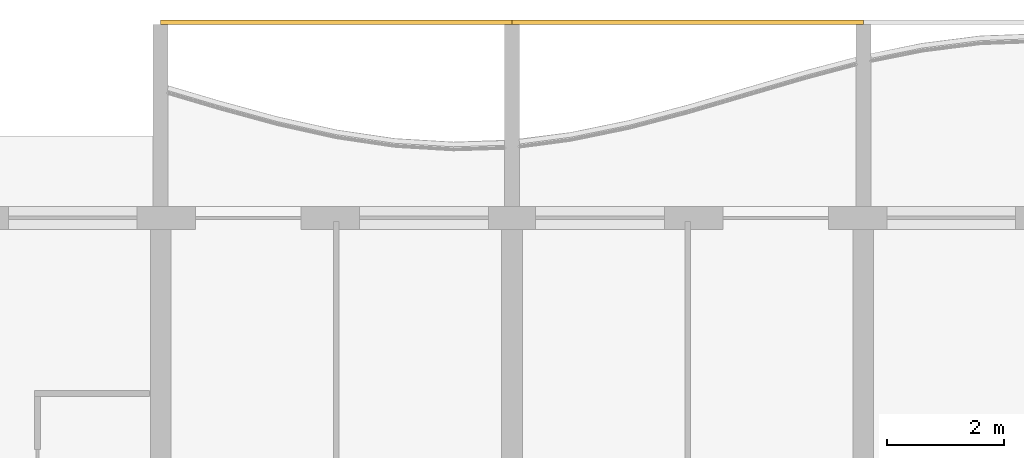
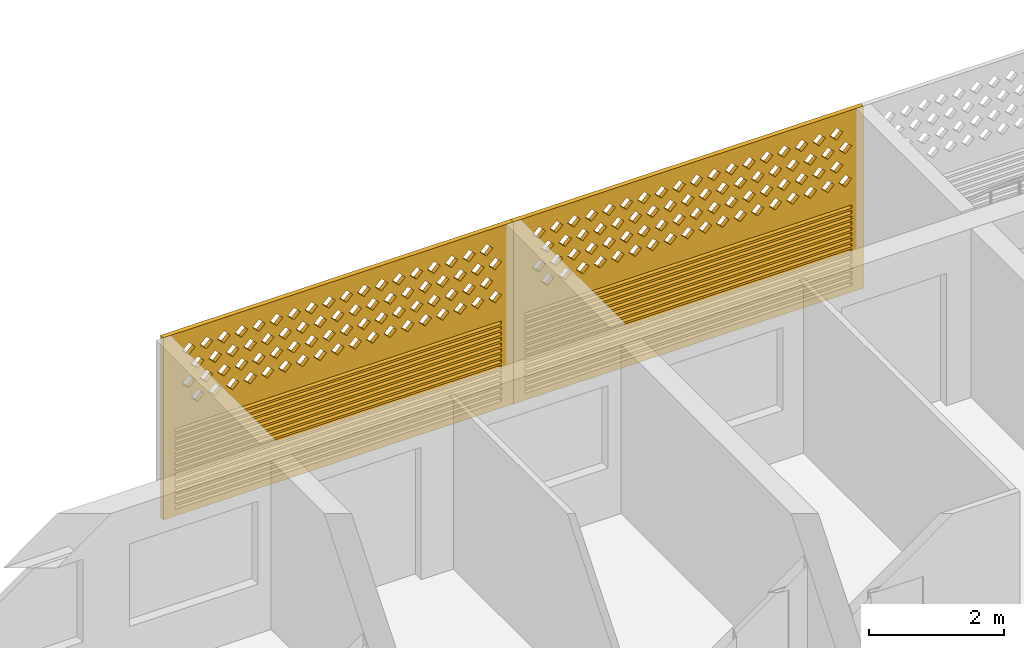
# One storey, part 23 of 28: 2 coverings.
"""IFC4 building model written with IfcOpenShell, lengths in metres."""

from ifc_helpers import new_model, si_unit, direction, frame, origin, place, context, subcontext, project, spatial, polyline, outline, extrude, source, transform, mapped, material, material_profile, profile_set, type_object, element, save


model = new_model("IFC4")

# Units and contexts
model_context = context("Model", 3, precision=1e-05, world=origin(), true_north=direction((0.0, 1.0)))
body_context = subcontext(model_context, "Body", "Model", "MODEL_VIEW")
ifc_project = project(units=[si_unit("LENGTHUNIT", "METRE"), si_unit("AREAUNIT", "SQUARE_METRE"), si_unit("VOLUMEUNIT", "CUBIC_METRE"), si_unit("PLANEANGLEUNIT", "RADIAN"), si_unit("MASSUNIT", "GRAM", prefix="KILO")], contexts=[model_context])

# Site, building, storey
site_placement = place(None, origin())
site = spatial("IfcSite", under=ifc_project, at=site_placement, CompositionType="ELEMENT")
building_placement = place(site_placement, origin())
building = spatial("IfcBuilding", under=site, at=building_placement, Name="Poui Terraces", CompositionType="ELEMENT")
storey_placement = place(building_placement, frame((0.0, 0.0, 72.89990234375)))
storey = spatial("IfcBuildingStorey", under=building, at=storey_placement, Name="L19", CompositionType="ELEMENT", Elevation=72.89990234375)

# Coverings
ifc_material = material(Name="Terracotta screen", Category="masonry")
ifc_material_profile = material_profile(ifc_material, outline(polyline([(-3.0, -1.64990234375), (3.0, -1.64990234375), (3.0, 1.64990234375), (-3.0, 1.64990234375), (-3.0, -1.64990234375)]), holes=[polyline([(-2.800048828125, 0.39990234375), (-2.68994140625, 0.2900390625), (-2.580078125, 0.39990234375), (-2.68994140625, 0.510009765625), (-2.800048828125, 0.39990234375)]), polyline([(-2.5, 0.39990234375), (-2.389892578125, 0.2900390625), (-2.280029296875, 0.39990234375), (-2.389892578125, 0.510009765625), (-2.5, 0.39990234375)]), polyline([(-2.199951171875, 0.39990234375), (-2.090087890625, 0.2900390625), (-1.97998046875, 0.39990234375), (-2.090087890625, 0.510009765625), (-2.199951171875, 0.39990234375)]), polyline([(-1.89990234375, 0.39990234375), (-1.7900390625, 0.2900390625), (-1.679931640625, 0.39990234375), (-1.7900390625, 0.510009765625), (-1.89990234375, 0.39990234375)]), polyline([(-1.60009765625, 0.39990234375), (-1.489990234375, 0.2900390625), (-1.3798828125, 0.39990234375), (-1.489990234375, 0.510009765625), (-1.60009765625, 0.39990234375)]), polyline([(-1.300048828125, 0.39990234375), (-1.18994140625, 0.2900390625), (-1.080078125, 0.39990234375), (-1.18994140625, 0.510009765625), (-1.300048828125, 0.39990234375)]), polyline([(-1.0, 0.39990234375), (-0.889892578125, 0.2900390625), (-0.780029296875, 0.39990234375), (-0.889892578125, 0.510009765625), (-1.0, 0.39990234375)]), polyline([(-0.699951171875, 0.39990234375), (-0.590087890625, 0.2900390625), (-0.47998046875, 0.39990234375), (-0.590087890625, 0.510009765625), (-0.699951171875, 0.39990234375)]), polyline([(-0.39990234375, 0.39990234375), (-0.2900390625, 0.2900390625), (-0.179931640625, 0.39990234375), (-0.2900390625, 0.510009765625), (-0.39990234375, 0.39990234375)]), polyline([(-0.10009765625, 0.39990234375), (0.010009765625, 0.2900390625), (0.1201171875, 0.39990234375), (0.010009765625, 0.510009765625), (-0.10009765625, 0.39990234375)]), polyline([(0.199951171875, 0.39990234375), (0.31005859375, 0.2900390625), (0.419921875, 0.39990234375), (0.31005859375, 0.510009765625), (0.199951171875, 0.39990234375)]), polyline([(0.5, 0.39990234375), (0.610107421875, 0.2900390625), (0.719970703125, 0.39990234375), (0.610107421875, 0.510009765625), (0.5, 0.39990234375)]), polyline([(0.800048828125, 0.39990234375), (0.909912109375, 0.2900390625), (1.02001953125, 0.39990234375), (0.909912109375, 0.510009765625), (0.800048828125, 0.39990234375)]), polyline([(1.10009765625, 0.39990234375), (1.2099609375, 0.2900390625), (1.320068359375, 0.39990234375), (1.2099609375, 0.510009765625), (1.10009765625, 0.39990234375)]), polyline([(1.39990234375, 0.39990234375), (1.510009765625, 0.2900390625), (1.6201171875, 0.39990234375), (1.510009765625, 0.510009765625), (1.39990234375, 0.39990234375)]), polyline([(1.699951171875, 0.39990234375), (1.81005859375, 0.2900390625), (1.919921875, 0.39990234375), (1.81005859375, 0.510009765625), (1.699951171875, 0.39990234375)]), polyline([(2.0, 0.39990234375), (2.110107421875, 0.2900390625), (2.219970703125, 0.39990234375), (2.110107421875, 0.510009765625), (2.0, 0.39990234375)]), polyline([(2.300048828125, 0.39990234375), (2.409912109375, 0.2900390625), (2.52001953125, 0.39990234375), (2.409912109375, 0.510009765625), (2.300048828125, 0.39990234375)]), polyline([(-2.64990234375, 0.699951171875), (-2.5400390625, 0.590087890625), (-2.429931640625, 0.699951171875), (-2.5400390625, 0.81005859375), (-2.64990234375, 0.699951171875)]), polyline([(-2.35009765625, 0.699951171875), (-2.239990234375, 0.590087890625), (-2.1298828125, 0.699951171875), (-2.239990234375, 0.81005859375), (-2.35009765625, 0.699951171875)]), polyline([(-2.050048828125, 0.699951171875), (-1.93994140625, 0.590087890625), (-1.830078125, 0.699951171875), (-1.93994140625, 0.81005859375), (-2.050048828125, 0.699951171875)]), polyline([(-1.75, 0.699951171875), (-1.639892578125, 0.590087890625), (-1.530029296875, 0.699951171875), (-1.639892578125, 0.81005859375), (-1.75, 0.699951171875)]), polyline([(-1.449951171875, 0.699951171875), (-1.340087890625, 0.590087890625), (-1.22998046875, 0.699951171875), (-1.340087890625, 0.81005859375), (-1.449951171875, 0.699951171875)]), polyline([(-1.14990234375, 0.699951171875), (-1.0400390625, 0.590087890625), (-0.929931640625, 0.699951171875), (-1.0400390625, 0.81005859375), (-1.14990234375, 0.699951171875)]), polyline([(-0.85009765625, 0.699951171875), (-0.739990234375, 0.590087890625), (-0.6298828125, 0.699951171875), (-0.739990234375, 0.81005859375), (-0.85009765625, 0.699951171875)]), polyline([(-0.550048828125, 0.699951171875), (-0.43994140625, 0.590087890625), (-0.330078125, 0.699951171875), (-0.43994140625, 0.81005859375), (-0.550048828125, 0.699951171875)]), polyline([(-0.25, 0.699951171875), (-0.139892578125, 0.590087890625), (-0.030029296875, 0.699951171875), (-0.139892578125, 0.81005859375), (-0.25, 0.699951171875)]), polyline([(0.050048828125, 0.699951171875), (0.159912109375, 0.590087890625), (0.27001953125, 0.699951171875), (0.159912109375, 0.81005859375), (0.050048828125, 0.699951171875)]), polyline([(0.35009765625, 0.699951171875), (0.4599609375, 0.590087890625), (0.570068359375, 0.699951171875), (0.4599609375, 0.81005859375), (0.35009765625, 0.699951171875)]), polyline([(0.64990234375, 0.699951171875), (0.760009765625, 0.590087890625), (0.8701171875, 0.699951171875), (0.760009765625, 0.81005859375), (0.64990234375, 0.699951171875)]), polyline([(0.949951171875, 0.699951171875), (1.06005859375, 0.590087890625), (1.169921875, 0.699951171875), (1.06005859375, 0.81005859375), (0.949951171875, 0.699951171875)]), polyline([(1.25, 0.699951171875), (1.360107421875, 0.590087890625), (1.469970703125, 0.699951171875), (1.360107421875, 0.81005859375), (1.25, 0.699951171875)]), polyline([(1.550048828125, 0.699951171875), (1.659912109375, 0.590087890625), (1.77001953125, 0.699951171875), (1.659912109375, 0.81005859375), (1.550048828125, 0.699951171875)]), polyline([(1.85009765625, 0.699951171875), (1.9599609375, 0.590087890625), (2.070068359375, 0.699951171875), (1.9599609375, 0.81005859375), (1.85009765625, 0.699951171875)]), polyline([(2.14990234375, 0.699951171875), (2.260009765625, 0.590087890625), (2.3701171875, 0.699951171875), (2.260009765625, 0.81005859375), (2.14990234375, 0.699951171875)]), polyline([(2.449951171875, 0.699951171875), (2.56005859375, 0.590087890625), (2.669921875, 0.699951171875), (2.56005859375, 0.81005859375), (2.449951171875, 0.699951171875)]), polyline([(-2.800048828125, 1.0), (-2.68994140625, 0.889892578125), (-2.580078125, 1.0), (-2.68994140625, 1.110107421875), (-2.800048828125, 1.0)]), polyline([(-2.5, 1.0), (-2.389892578125, 0.889892578125), (-2.280029296875, 1.0), (-2.389892578125, 1.110107421875), (-2.5, 1.0)]), polyline([(-2.199951171875, 1.0), (-2.090087890625, 0.889892578125), (-1.97998046875, 1.0), (-2.090087890625, 1.110107421875), (-2.199951171875, 1.0)]), polyline([(-1.89990234375, 1.0), (-1.7900390625, 0.889892578125), (-1.679931640625, 1.0), (-1.7900390625, 1.110107421875), (-1.89990234375, 1.0)]), polyline([(-1.60009765625, 1.0), (-1.489990234375, 0.889892578125), (-1.3798828125, 1.0), (-1.489990234375, 1.110107421875), (-1.60009765625, 1.0)]), polyline([(-1.300048828125, 1.0), (-1.18994140625, 0.889892578125), (-1.080078125, 1.0), (-1.18994140625, 1.110107421875), (-1.300048828125, 1.0)]), polyline([(-1.0, 1.0), (-0.889892578125, 0.889892578125), (-0.780029296875, 1.0), (-0.889892578125, 1.110107421875), (-1.0, 1.0)]), polyline([(-0.699951171875, 1.0), (-0.590087890625, 0.889892578125), (-0.47998046875, 1.0), (-0.590087890625, 1.110107421875), (-0.699951171875, 1.0)]), polyline([(-0.39990234375, 1.0), (-0.2900390625, 0.889892578125), (-0.179931640625, 1.0), (-0.2900390625, 1.110107421875), (-0.39990234375, 1.0)]), polyline([(-0.10009765625, 1.0), (0.010009765625, 0.889892578125), (0.1201171875, 1.0), (0.010009765625, 1.110107421875), (-0.10009765625, 1.0)]), polyline([(0.199951171875, 1.0), (0.31005859375, 0.889892578125), (0.419921875, 1.0), (0.31005859375, 1.110107421875), (0.199951171875, 1.0)]), polyline([(0.5, 1.0), (0.610107421875, 0.889892578125), (0.719970703125, 1.0), (0.610107421875, 1.110107421875), (0.5, 1.0)]), polyline([(0.800048828125, 1.0), (0.909912109375, 0.889892578125), (1.02001953125, 1.0), (0.909912109375, 1.110107421875), (0.800048828125, 1.0)]), polyline([(1.10009765625, 1.0), (1.2099609375, 0.889892578125), (1.320068359375, 1.0), (1.2099609375, 1.110107421875), (1.10009765625, 1.0)]), polyline([(1.39990234375, 1.0), (1.510009765625, 0.889892578125), (1.6201171875, 1.0), (1.510009765625, 1.110107421875), (1.39990234375, 1.0)]), polyline([(1.699951171875, 1.0), (1.81005859375, 0.889892578125), (1.919921875, 1.0), (1.81005859375, 1.110107421875), (1.699951171875, 1.0)]), polyline([(2.0, 1.0), (2.110107421875, 0.889892578125), (2.219970703125, 1.0), (2.110107421875, 1.110107421875), (2.0, 1.0)]), polyline([(2.300048828125, 1.0), (2.409912109375, 0.889892578125), (2.52001953125, 1.0), (2.409912109375, 1.110107421875), (2.300048828125, 1.0)]), polyline([(-2.64990234375, 1.300048828125), (-2.5400390625, 1.18994140625), (-2.429931640625, 1.300048828125), (-2.5400390625, 1.409912109375), (-2.64990234375, 1.300048828125)]), polyline([(-2.35009765625, 1.300048828125), (-2.239990234375, 1.18994140625), (-2.1298828125, 1.300048828125), (-2.239990234375, 1.409912109375), (-2.35009765625, 1.300048828125)]), polyline([(-2.050048828125, 1.300048828125), (-1.93994140625, 1.18994140625), (-1.830078125, 1.300048828125), (-1.93994140625, 1.409912109375), (-2.050048828125, 1.300048828125)]), polyline([(-1.75, 1.300048828125), (-1.639892578125, 1.18994140625), (-1.530029296875, 1.300048828125), (-1.639892578125, 1.409912109375), (-1.75, 1.300048828125)]), polyline([(-1.449951171875, 1.300048828125), (-1.340087890625, 1.18994140625), (-1.22998046875, 1.300048828125), (-1.340087890625, 1.409912109375), (-1.449951171875, 1.300048828125)]), polyline([(-1.14990234375, 1.300048828125), (-1.0400390625, 1.18994140625), (-0.929931640625, 1.300048828125), (-1.0400390625, 1.409912109375), (-1.14990234375, 1.300048828125)]), polyline([(-0.85009765625, 1.300048828125), (-0.739990234375, 1.18994140625), (-0.6298828125, 1.300048828125), (-0.739990234375, 1.409912109375), (-0.85009765625, 1.300048828125)]), polyline([(-0.550048828125, 1.300048828125), (-0.43994140625, 1.18994140625), (-0.330078125, 1.300048828125), (-0.43994140625, 1.409912109375), (-0.550048828125, 1.300048828125)]), polyline([(-0.25, 1.300048828125), (-0.139892578125, 1.18994140625), (-0.030029296875, 1.300048828125), (-0.139892578125, 1.409912109375), (-0.25, 1.300048828125)]), polyline([(0.050048828125, 1.300048828125), (0.159912109375, 1.18994140625), (0.27001953125, 1.300048828125), (0.159912109375, 1.409912109375), (0.050048828125, 1.300048828125)]), polyline([(0.35009765625, 1.300048828125), (0.4599609375, 1.18994140625), (0.570068359375, 1.300048828125), (0.4599609375, 1.409912109375), (0.35009765625, 1.300048828125)]), polyline([(0.64990234375, 1.300048828125), (0.760009765625, 1.18994140625), (0.8701171875, 1.300048828125), (0.760009765625, 1.409912109375), (0.64990234375, 1.300048828125)]), polyline([(0.949951171875, 1.300048828125), (1.06005859375, 1.18994140625), (1.169921875, 1.300048828125), (1.06005859375, 1.409912109375), (0.949951171875, 1.300048828125)]), polyline([(1.25, 1.300048828125), (1.360107421875, 1.18994140625), (1.469970703125, 1.300048828125), (1.360107421875, 1.409912109375), (1.25, 1.300048828125)]), polyline([(1.550048828125, 1.300048828125), (1.659912109375, 1.18994140625), (1.77001953125, 1.300048828125), (1.659912109375, 1.409912109375), (1.550048828125, 1.300048828125)]), polyline([(1.85009765625, 1.300048828125), (1.9599609375, 1.18994140625), (2.070068359375, 1.300048828125), (1.9599609375, 1.409912109375), (1.85009765625, 1.300048828125)]), polyline([(2.14990234375, 1.300048828125), (2.260009765625, 1.18994140625), (2.3701171875, 1.300048828125), (2.260009765625, 1.409912109375), (2.14990234375, 1.300048828125)]), polyline([(2.449951171875, 1.300048828125), (2.56005859375, 1.18994140625), (2.669921875, 1.300048828125), (2.56005859375, 1.409912109375), (2.449951171875, 1.300048828125)]), polyline([(-2.800048828125, -1.530029296875), (2.800048828125, -1.530029296875), (2.800048828125, -1.469970703125), (-2.800048828125, -1.469970703125), (-2.800048828125, -1.530029296875)]), polyline([(-2.800048828125, -1.429931640625), (2.800048828125, -1.429931640625), (2.800048828125, -1.3701171875), (-2.800048828125, -1.3701171875), (-2.800048828125, -1.429931640625)]), polyline([(-2.800048828125, -1.330078125), (2.800048828125, -1.330078125), (2.800048828125, -1.27001953125), (-2.800048828125, -1.27001953125), (-2.800048828125, -1.330078125)]), polyline([(-2.800048828125, -1.22998046875), (2.800048828125, -1.22998046875), (2.800048828125, -1.169921875), (-2.800048828125, -1.169921875), (-2.800048828125, -1.22998046875)]), polyline([(-2.800048828125, -1.1298828125), (2.800048828125, -1.1298828125), (2.800048828125, -1.070068359375), (-2.800048828125, -1.070068359375), (-2.800048828125, -1.1298828125)]), polyline([(-2.800048828125, -1.030029296875), (2.800048828125, -1.030029296875), (2.800048828125, -0.969970703125), (-2.800048828125, -0.969970703125), (-2.800048828125, -1.030029296875)]), polyline([(-2.800048828125, -0.929931640625), (2.800048828125, -0.929931640625), (2.800048828125, -0.8701171875), (-2.800048828125, -0.8701171875), (-2.800048828125, -0.929931640625)]), polyline([(-2.800048828125, -0.830078125), (2.800048828125, -0.830078125), (2.800048828125, -0.77001953125), (-2.800048828125, -0.77001953125), (-2.800048828125, -0.830078125)]), polyline([(-2.800048828125, -0.72998046875), (2.800048828125, -0.72998046875), (2.800048828125, -0.669921875), (-2.800048828125, -0.669921875), (-2.800048828125, -0.72998046875)]), polyline([(-2.800048828125, -0.6298828125), (2.800048828125, -0.6298828125), (2.800048828125, -0.570068359375), (-2.800048828125, -0.570068359375), (-2.800048828125, -0.6298828125)]), polyline([(-2.800048828125, -0.530029296875), (2.800048828125, -0.530029296875), (2.800048828125, -0.469970703125), (-2.800048828125, -0.469970703125), (-2.800048828125, -0.530029296875)]), polyline([(-2.800048828125, -0.429931640625), (2.800048828125, -0.429931640625), (2.800048828125, -0.3701171875), (-2.800048828125, -0.3701171875), (-2.800048828125, -0.429931640625)]), polyline([(-2.800048828125, -0.330078125), (2.800048828125, -0.330078125), (2.800048828125, -0.27001953125), (-2.800048828125, -0.27001953125), (-2.800048828125, -0.330078125)]), polyline([(-2.800048828125, -0.22998046875), (2.800048828125, -0.22998046875), (2.800048828125, -0.169921875), (-2.800048828125, -0.169921875), (-2.800048828125, -0.22998046875)]), polyline([(-2.800048828125, -0.1298828125), (2.800048828125, -0.1298828125), (2.800048828125, -0.070068359375), (-2.800048828125, -0.070068359375), (-2.800048828125, -0.1298828125)])]), Name="TERRACOTTA SCREEN AND JALOUSIE LOUVRE 6000X3300")
ifc_profile_set = profile_set([ifc_material_profile], Name="Terracotta screen")
covering_type = type_object("IfcCoveringType", Name="TERRACOTTA SCREEN AND JALOUSIE LOUVRE 6000X3300", PredefinedType="CLADDING", material=ifc_profile_set)
shared_shape = source(origin(), body_context, "Body", "SweptSolid", [
    extrude(outline(polyline([(-3.0, -1.64990234375), (3.0, -1.64990234375), (3.0, 1.64990234375), (-3.0, 1.64990234375), (-3.0, -1.64990234375)]), holes=[polyline([(-2.800048828125, 0.39990234375), (-2.68994140625, 0.2900390625), (-2.580078125, 0.39990234375), (-2.68994140625, 0.510009765625), (-2.800048828125, 0.39990234375)]), polyline([(-2.5, 0.39990234375), (-2.389892578125, 0.2900390625), (-2.280029296875, 0.39990234375), (-2.389892578125, 0.510009765625), (-2.5, 0.39990234375)]), polyline([(-2.199951171875, 0.39990234375), (-2.090087890625, 0.2900390625), (-1.97998046875, 0.39990234375), (-2.090087890625, 0.510009765625), (-2.199951171875, 0.39990234375)]), polyline([(-1.89990234375, 0.39990234375), (-1.7900390625, 0.2900390625), (-1.679931640625, 0.39990234375), (-1.7900390625, 0.510009765625), (-1.89990234375, 0.39990234375)]), polyline([(-1.60009765625, 0.39990234375), (-1.489990234375, 0.2900390625), (-1.3798828125, 0.39990234375), (-1.489990234375, 0.510009765625), (-1.60009765625, 0.39990234375)]), polyline([(-1.300048828125, 0.39990234375), (-1.18994140625, 0.2900390625), (-1.080078125, 0.39990234375), (-1.18994140625, 0.510009765625), (-1.300048828125, 0.39990234375)]), polyline([(-1.0, 0.39990234375), (-0.889892578125, 0.2900390625), (-0.780029296875, 0.39990234375), (-0.889892578125, 0.510009765625), (-1.0, 0.39990234375)]), polyline([(-0.699951171875, 0.39990234375), (-0.590087890625, 0.2900390625), (-0.47998046875, 0.39990234375), (-0.590087890625, 0.510009765625), (-0.699951171875, 0.39990234375)]), polyline([(-0.39990234375, 0.39990234375), (-0.2900390625, 0.2900390625), (-0.179931640625, 0.39990234375), (-0.2900390625, 0.510009765625), (-0.39990234375, 0.39990234375)]), polyline([(-0.10009765625, 0.39990234375), (0.010009765625, 0.2900390625), (0.1201171875, 0.39990234375), (0.010009765625, 0.510009765625), (-0.10009765625, 0.39990234375)]), polyline([(0.199951171875, 0.39990234375), (0.31005859375, 0.2900390625), (0.419921875, 0.39990234375), (0.31005859375, 0.510009765625), (0.199951171875, 0.39990234375)]), polyline([(0.5, 0.39990234375), (0.610107421875, 0.2900390625), (0.719970703125, 0.39990234375), (0.610107421875, 0.510009765625), (0.5, 0.39990234375)]), polyline([(0.800048828125, 0.39990234375), (0.909912109375, 0.2900390625), (1.02001953125, 0.39990234375), (0.909912109375, 0.510009765625), (0.800048828125, 0.39990234375)]), polyline([(1.10009765625, 0.39990234375), (1.2099609375, 0.2900390625), (1.320068359375, 0.39990234375), (1.2099609375, 0.510009765625), (1.10009765625, 0.39990234375)]), polyline([(1.39990234375, 0.39990234375), (1.510009765625, 0.2900390625), (1.6201171875, 0.39990234375), (1.510009765625, 0.510009765625), (1.39990234375, 0.39990234375)]), polyline([(1.699951171875, 0.39990234375), (1.81005859375, 0.2900390625), (1.919921875, 0.39990234375), (1.81005859375, 0.510009765625), (1.699951171875, 0.39990234375)]), polyline([(2.0, 0.39990234375), (2.110107421875, 0.2900390625), (2.219970703125, 0.39990234375), (2.110107421875, 0.510009765625), (2.0, 0.39990234375)]), polyline([(2.300048828125, 0.39990234375), (2.409912109375, 0.2900390625), (2.52001953125, 0.39990234375), (2.409912109375, 0.510009765625), (2.300048828125, 0.39990234375)]), polyline([(-2.64990234375, 0.699951171875), (-2.5400390625, 0.590087890625), (-2.429931640625, 0.699951171875), (-2.5400390625, 0.81005859375), (-2.64990234375, 0.699951171875)]), polyline([(-2.35009765625, 0.699951171875), (-2.239990234375, 0.590087890625), (-2.1298828125, 0.699951171875), (-2.239990234375, 0.81005859375), (-2.35009765625, 0.699951171875)]), polyline([(-2.050048828125, 0.699951171875), (-1.93994140625, 0.590087890625), (-1.830078125, 0.699951171875), (-1.93994140625, 0.81005859375), (-2.050048828125, 0.699951171875)]), polyline([(-1.75, 0.699951171875), (-1.639892578125, 0.590087890625), (-1.530029296875, 0.699951171875), (-1.639892578125, 0.81005859375), (-1.75, 0.699951171875)]), polyline([(-1.449951171875, 0.699951171875), (-1.340087890625, 0.590087890625), (-1.22998046875, 0.699951171875), (-1.340087890625, 0.81005859375), (-1.449951171875, 0.699951171875)]), polyline([(-1.14990234375, 0.699951171875), (-1.0400390625, 0.590087890625), (-0.929931640625, 0.699951171875), (-1.0400390625, 0.81005859375), (-1.14990234375, 0.699951171875)]), polyline([(-0.85009765625, 0.699951171875), (-0.739990234375, 0.590087890625), (-0.6298828125, 0.699951171875), (-0.739990234375, 0.81005859375), (-0.85009765625, 0.699951171875)]), polyline([(-0.550048828125, 0.699951171875), (-0.43994140625, 0.590087890625), (-0.330078125, 0.699951171875), (-0.43994140625, 0.81005859375), (-0.550048828125, 0.699951171875)]), polyline([(-0.25, 0.699951171875), (-0.139892578125, 0.590087890625), (-0.030029296875, 0.699951171875), (-0.139892578125, 0.81005859375), (-0.25, 0.699951171875)]), polyline([(0.050048828125, 0.699951171875), (0.159912109375, 0.590087890625), (0.27001953125, 0.699951171875), (0.159912109375, 0.81005859375), (0.050048828125, 0.699951171875)]), polyline([(0.35009765625, 0.699951171875), (0.4599609375, 0.590087890625), (0.570068359375, 0.699951171875), (0.4599609375, 0.81005859375), (0.35009765625, 0.699951171875)]), polyline([(0.64990234375, 0.699951171875), (0.760009765625, 0.590087890625), (0.8701171875, 0.699951171875), (0.760009765625, 0.81005859375), (0.64990234375, 0.699951171875)]), polyline([(0.949951171875, 0.699951171875), (1.06005859375, 0.590087890625), (1.169921875, 0.699951171875), (1.06005859375, 0.81005859375), (0.949951171875, 0.699951171875)]), polyline([(1.25, 0.699951171875), (1.360107421875, 0.590087890625), (1.469970703125, 0.699951171875), (1.360107421875, 0.81005859375), (1.25, 0.699951171875)]), polyline([(1.550048828125, 0.699951171875), (1.659912109375, 0.590087890625), (1.77001953125, 0.699951171875), (1.659912109375, 0.81005859375), (1.550048828125, 0.699951171875)]), polyline([(1.85009765625, 0.699951171875), (1.9599609375, 0.590087890625), (2.070068359375, 0.699951171875), (1.9599609375, 0.81005859375), (1.85009765625, 0.699951171875)]), polyline([(2.14990234375, 0.699951171875), (2.260009765625, 0.590087890625), (2.3701171875, 0.699951171875), (2.260009765625, 0.81005859375), (2.14990234375, 0.699951171875)]), polyline([(2.449951171875, 0.699951171875), (2.56005859375, 0.590087890625), (2.669921875, 0.699951171875), (2.56005859375, 0.81005859375), (2.449951171875, 0.699951171875)]), polyline([(-2.800048828125, 1.0), (-2.68994140625, 0.889892578125), (-2.580078125, 1.0), (-2.68994140625, 1.110107421875), (-2.800048828125, 1.0)]), polyline([(-2.5, 1.0), (-2.389892578125, 0.889892578125), (-2.280029296875, 1.0), (-2.389892578125, 1.110107421875), (-2.5, 1.0)]), polyline([(-2.199951171875, 1.0), (-2.090087890625, 0.889892578125), (-1.97998046875, 1.0), (-2.090087890625, 1.110107421875), (-2.199951171875, 1.0)]), polyline([(-1.89990234375, 1.0), (-1.7900390625, 0.889892578125), (-1.679931640625, 1.0), (-1.7900390625, 1.110107421875), (-1.89990234375, 1.0)]), polyline([(-1.60009765625, 1.0), (-1.489990234375, 0.889892578125), (-1.3798828125, 1.0), (-1.489990234375, 1.110107421875), (-1.60009765625, 1.0)]), polyline([(-1.300048828125, 1.0), (-1.18994140625, 0.889892578125), (-1.080078125, 1.0), (-1.18994140625, 1.110107421875), (-1.300048828125, 1.0)]), polyline([(-1.0, 1.0), (-0.889892578125, 0.889892578125), (-0.780029296875, 1.0), (-0.889892578125, 1.110107421875), (-1.0, 1.0)]), polyline([(-0.699951171875, 1.0), (-0.590087890625, 0.889892578125), (-0.47998046875, 1.0), (-0.590087890625, 1.110107421875), (-0.699951171875, 1.0)]), polyline([(-0.39990234375, 1.0), (-0.2900390625, 0.889892578125), (-0.179931640625, 1.0), (-0.2900390625, 1.110107421875), (-0.39990234375, 1.0)]), polyline([(-0.10009765625, 1.0), (0.010009765625, 0.889892578125), (0.1201171875, 1.0), (0.010009765625, 1.110107421875), (-0.10009765625, 1.0)]), polyline([(0.199951171875, 1.0), (0.31005859375, 0.889892578125), (0.419921875, 1.0), (0.31005859375, 1.110107421875), (0.199951171875, 1.0)]), polyline([(0.5, 1.0), (0.610107421875, 0.889892578125), (0.719970703125, 1.0), (0.610107421875, 1.110107421875), (0.5, 1.0)]), polyline([(0.800048828125, 1.0), (0.909912109375, 0.889892578125), (1.02001953125, 1.0), (0.909912109375, 1.110107421875), (0.800048828125, 1.0)]), polyline([(1.10009765625, 1.0), (1.2099609375, 0.889892578125), (1.320068359375, 1.0), (1.2099609375, 1.110107421875), (1.10009765625, 1.0)]), polyline([(1.39990234375, 1.0), (1.510009765625, 0.889892578125), (1.6201171875, 1.0), (1.510009765625, 1.110107421875), (1.39990234375, 1.0)]), polyline([(1.699951171875, 1.0), (1.81005859375, 0.889892578125), (1.919921875, 1.0), (1.81005859375, 1.110107421875), (1.699951171875, 1.0)]), polyline([(2.0, 1.0), (2.110107421875, 0.889892578125), (2.219970703125, 1.0), (2.110107421875, 1.110107421875), (2.0, 1.0)]), polyline([(2.300048828125, 1.0), (2.409912109375, 0.889892578125), (2.52001953125, 1.0), (2.409912109375, 1.110107421875), (2.300048828125, 1.0)]), polyline([(-2.64990234375, 1.300048828125), (-2.5400390625, 1.18994140625), (-2.429931640625, 1.300048828125), (-2.5400390625, 1.409912109375), (-2.64990234375, 1.300048828125)]), polyline([(-2.35009765625, 1.300048828125), (-2.239990234375, 1.18994140625), (-2.1298828125, 1.300048828125), (-2.239990234375, 1.409912109375), (-2.35009765625, 1.300048828125)]), polyline([(-2.050048828125, 1.300048828125), (-1.93994140625, 1.18994140625), (-1.830078125, 1.300048828125), (-1.93994140625, 1.409912109375), (-2.050048828125, 1.300048828125)]), polyline([(-1.75, 1.300048828125), (-1.639892578125, 1.18994140625), (-1.530029296875, 1.300048828125), (-1.639892578125, 1.409912109375), (-1.75, 1.300048828125)]), polyline([(-1.449951171875, 1.300048828125), (-1.340087890625, 1.18994140625), (-1.22998046875, 1.300048828125), (-1.340087890625, 1.409912109375), (-1.449951171875, 1.300048828125)]), polyline([(-1.14990234375, 1.300048828125), (-1.0400390625, 1.18994140625), (-0.929931640625, 1.300048828125), (-1.0400390625, 1.409912109375), (-1.14990234375, 1.300048828125)]), polyline([(-0.85009765625, 1.300048828125), (-0.739990234375, 1.18994140625), (-0.6298828125, 1.300048828125), (-0.739990234375, 1.409912109375), (-0.85009765625, 1.300048828125)]), polyline([(-0.550048828125, 1.300048828125), (-0.43994140625, 1.18994140625), (-0.330078125, 1.300048828125), (-0.43994140625, 1.409912109375), (-0.550048828125, 1.300048828125)]), polyline([(-0.25, 1.300048828125), (-0.139892578125, 1.18994140625), (-0.030029296875, 1.300048828125), (-0.139892578125, 1.409912109375), (-0.25, 1.300048828125)]), polyline([(0.050048828125, 1.300048828125), (0.159912109375, 1.18994140625), (0.27001953125, 1.300048828125), (0.159912109375, 1.409912109375), (0.050048828125, 1.300048828125)]), polyline([(0.35009765625, 1.300048828125), (0.4599609375, 1.18994140625), (0.570068359375, 1.300048828125), (0.4599609375, 1.409912109375), (0.35009765625, 1.300048828125)]), polyline([(0.64990234375, 1.300048828125), (0.760009765625, 1.18994140625), (0.8701171875, 1.300048828125), (0.760009765625, 1.409912109375), (0.64990234375, 1.300048828125)]), polyline([(0.949951171875, 1.300048828125), (1.06005859375, 1.18994140625), (1.169921875, 1.300048828125), (1.06005859375, 1.409912109375), (0.949951171875, 1.300048828125)]), polyline([(1.25, 1.300048828125), (1.360107421875, 1.18994140625), (1.469970703125, 1.300048828125), (1.360107421875, 1.409912109375), (1.25, 1.300048828125)]), polyline([(1.550048828125, 1.300048828125), (1.659912109375, 1.18994140625), (1.77001953125, 1.300048828125), (1.659912109375, 1.409912109375), (1.550048828125, 1.300048828125)]), polyline([(1.85009765625, 1.300048828125), (1.9599609375, 1.18994140625), (2.070068359375, 1.300048828125), (1.9599609375, 1.409912109375), (1.85009765625, 1.300048828125)]), polyline([(2.14990234375, 1.300048828125), (2.260009765625, 1.18994140625), (2.3701171875, 1.300048828125), (2.260009765625, 1.409912109375), (2.14990234375, 1.300048828125)]), polyline([(2.449951171875, 1.300048828125), (2.56005859375, 1.18994140625), (2.669921875, 1.300048828125), (2.56005859375, 1.409912109375), (2.449951171875, 1.300048828125)]), polyline([(-2.800048828125, -1.530029296875), (2.800048828125, -1.530029296875), (2.800048828125, -1.469970703125), (-2.800048828125, -1.469970703125), (-2.800048828125, -1.530029296875)]), polyline([(-2.800048828125, -1.429931640625), (2.800048828125, -1.429931640625), (2.800048828125, -1.3701171875), (-2.800048828125, -1.3701171875), (-2.800048828125, -1.429931640625)]), polyline([(-2.800048828125, -1.330078125), (2.800048828125, -1.330078125), (2.800048828125, -1.27001953125), (-2.800048828125, -1.27001953125), (-2.800048828125, -1.330078125)]), polyline([(-2.800048828125, -1.22998046875), (2.800048828125, -1.22998046875), (2.800048828125, -1.169921875), (-2.800048828125, -1.169921875), (-2.800048828125, -1.22998046875)]), polyline([(-2.800048828125, -1.1298828125), (2.800048828125, -1.1298828125), (2.800048828125, -1.070068359375), (-2.800048828125, -1.070068359375), (-2.800048828125, -1.1298828125)]), polyline([(-2.800048828125, -1.030029296875), (2.800048828125, -1.030029296875), (2.800048828125, -0.969970703125), (-2.800048828125, -0.969970703125), (-2.800048828125, -1.030029296875)]), polyline([(-2.800048828125, -0.929931640625), (2.800048828125, -0.929931640625), (2.800048828125, -0.8701171875), (-2.800048828125, -0.8701171875), (-2.800048828125, -0.929931640625)]), polyline([(-2.800048828125, -0.830078125), (2.800048828125, -0.830078125), (2.800048828125, -0.77001953125), (-2.800048828125, -0.77001953125), (-2.800048828125, -0.830078125)]), polyline([(-2.800048828125, -0.72998046875), (2.800048828125, -0.72998046875), (2.800048828125, -0.669921875), (-2.800048828125, -0.669921875), (-2.800048828125, -0.72998046875)]), polyline([(-2.800048828125, -0.6298828125), (2.800048828125, -0.6298828125), (2.800048828125, -0.570068359375), (-2.800048828125, -0.570068359375), (-2.800048828125, -0.6298828125)]), polyline([(-2.800048828125, -0.530029296875), (2.800048828125, -0.530029296875), (2.800048828125, -0.469970703125), (-2.800048828125, -0.469970703125), (-2.800048828125, -0.530029296875)]), polyline([(-2.800048828125, -0.429931640625), (2.800048828125, -0.429931640625), (2.800048828125, -0.3701171875), (-2.800048828125, -0.3701171875), (-2.800048828125, -0.429931640625)]), polyline([(-2.800048828125, -0.330078125), (2.800048828125, -0.330078125), (2.800048828125, -0.27001953125), (-2.800048828125, -0.27001953125), (-2.800048828125, -0.330078125)]), polyline([(-2.800048828125, -0.22998046875), (2.800048828125, -0.22998046875), (2.800048828125, -0.169921875), (-2.800048828125, -0.169921875), (-2.800048828125, -0.22998046875)]), polyline([(-2.800048828125, -0.1298828125), (2.800048828125, -0.1298828125), (2.800048828125, -0.070068359375), (-2.800048828125, -0.070068359375), (-2.800048828125, -0.1298828125)])]), origin(), (0.0, 0.0, 1.0), 0.080078125),
])
for number, where, z_axis, x_axis, name in (
    (1, (45.0, 46.89990234375, 1.4501953125), (0.0, 1.0, 0.0), (-1.0, 0.0, 0.0), "SOLAR SCREEN AND JALOUSIE LOUVRE"),
    (2, (51.0, 46.89990234375, 1.4501953125), (0.0, 1.0, 0.0), (-1.0, 0.0, 0.0), "SOLAR SCREEN AND JALOUSIE LOUVRE"),
):
    element("IfcCovering", number, at=place(storey_placement, frame(where, z_axis=z_axis, x_axis=x_axis)), inside=storey, type_object=covering_type, Name=name, PredefinedType="CLADDING", context=body_context, shape_type="MappedRepresentation", body=[
        mapped(shared_shape, transform((0.0, 0.0, 0.0))),
    ])

save(model, "model.ifc")
